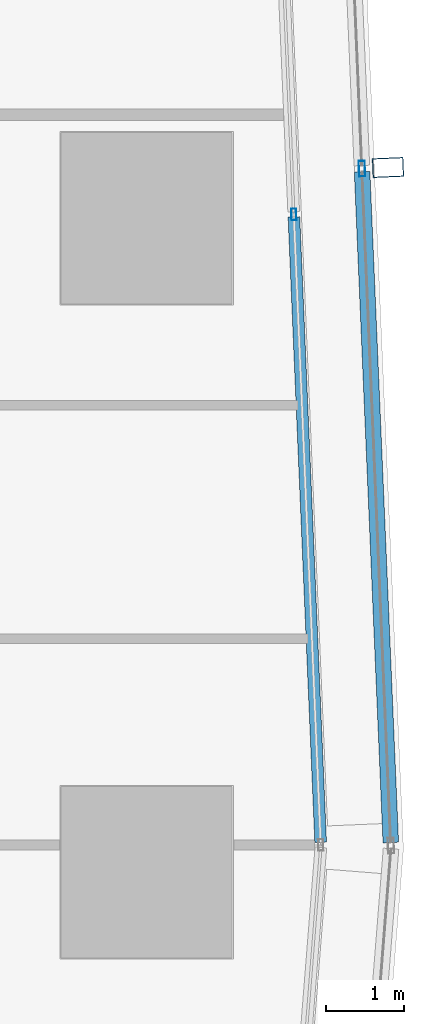
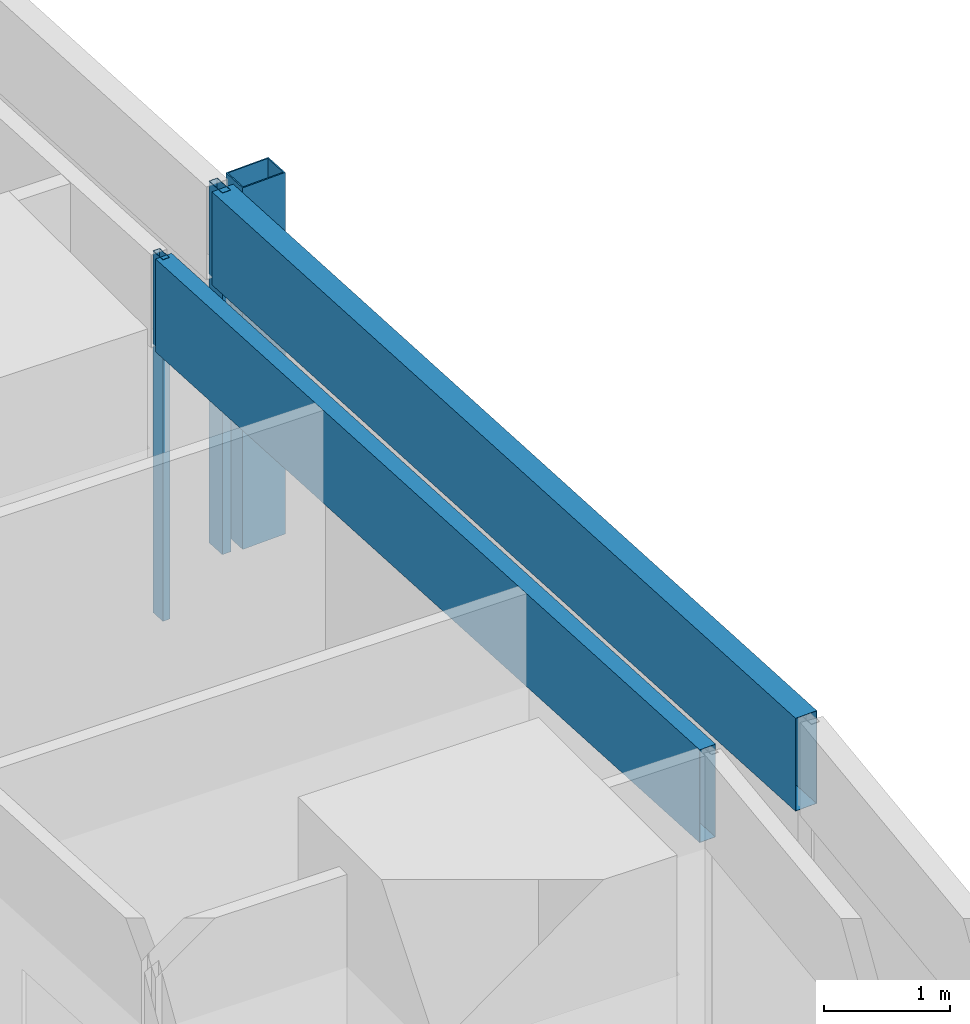
# One storey, part 27 of 44: 5 members, 2 elements without a shape of their own.
"""IFC4 building model written with IfcOpenShell, lengths in metres."""

from ifc_helpers import new_model, si_unit, direction, frame, origin, origin_2d, place, context, subcontext, project, spatial, hollow_rectangle, extrude, material, material_profile, profile_set, type_object, element, aggregate, save


model = new_model("IFC4")

# Units and contexts
model_context = context("Model", 3, precision=1e-05, world=origin(), true_north=direction((0.0, 1.0)))
body_context = subcontext(model_context, "Body", "Model", "MODEL_VIEW")
ifc_project = project(units=[si_unit("LENGTHUNIT", "METRE"), si_unit("AREAUNIT", "SQUARE_METRE"), si_unit("VOLUMEUNIT", "CUBIC_METRE"), si_unit("PLANEANGLEUNIT", "RADIAN"), si_unit("MASSUNIT", "GRAM", prefix="KILO")], contexts=[model_context])

# Site, building, storey
site_placement = place(None, origin())
site = spatial("IfcSite", under=ifc_project, at=site_placement, CompositionType="ELEMENT")
building_placement = place(site_placement, origin())
building = spatial("IfcBuilding", under=site, at=building_placement, Name="Rekha Terrace Tower", CompositionType="ELEMENT")
storey_placement = place(building_placement, frame((0.0, 0.0, 59.14990234375)))
storey = spatial("IfcBuildingStorey", under=building, at=storey_placement, Name="L14", CompositionType="ELEMENT", Elevation=59.14990234375)

# Curtain wall, member
ifc_material_1 = material(Name="Aluminium framing", Category="aluminium")
curtain_wall_type_1 = type_object("IfcCurtainWallType", Name="CW2 double skin outer glazing", PredefinedType="USERDEFINED", material=ifc_material_1)
curtain_wall_1_placement = place(storey_placement, origin())
curtain_wall_1 = element("IfcCurtainWall", 1, at=curtain_wall_1_placement, inside=storey, type_object=curtain_wall_type_1, Name="CW2 double skin outer glazing", ObjectType="DOUBLE SKIN OUTER GLAZING", PredefinedType="USERDEFINED")
ifc_material_2 = material(Name="Steel S355 with fluorocarbon finish", Category="steel")
ifc_material_profile_1 = material_profile(ifc_material_2, hollow_rectangle(XDim=0.25, YDim=0.39990234375, WallThickness=0.012451171875, at=origin_2d()), Name="RHS400x250x12.5")
ifc_profile_set_1 = profile_set([ifc_material_profile_1], Name="Steel S355 with fluorocarbon finish")
member_type_1 = type_object("IfcMemberType", Name="BL1 facade blade RHS 400 x 250", PredefinedType="USERDEFINED", material=ifc_profile_set_1)
member_1_placement = place(storey_placement, frame((70.301025390625, 34.2529296875, 0.0), z_axis=(0.0, 0.0, 1.0), x_axis=(-0.04269522475, 0.99908814315, 0.0)))
member_1 = element("IfcMember", 2, at=member_1_placement, type_object=member_type_1, Name="Facade blade", ObjectType="FACADE BLADE", PredefinedType="USERDEFINED", context=body_context, shape_type="SweptSolid", body=[
    extrude(hollow_rectangle(XDim=0.25, YDim=0.39990234375, WallThickness=0.012451171875, at=origin_2d()), origin(), (0.0, 0.0, 1.0), 3.5),
])

# Curtain wall, members
curtain_wall_type_2 = type_object("IfcCurtainWallType", Name="CW1 double skin inner glazing", PredefinedType="USERDEFINED", material=ifc_material_1)
curtain_wall_2_placement = place(storey_placement, origin())
curtain_wall_2 = element("IfcCurtainWall", 3, at=curtain_wall_2_placement, inside=storey, type_object=curtain_wall_type_2, Name="CW1 double skin inner glazing", ObjectType="DOUBLE SKIN INNER GLAZING", PredefinedType="USERDEFINED")
ifc_material_3 = material(Name="Aluminium mullion section", Category="aluminium")
ifc_material_profile_2 = material_profile(ifc_material_3, hollow_rectangle(XDim=0.06494140625, YDim=0.14990234375, WallThickness=0.00390625, at=origin_2d()), Name="AL RHS 65x150")
ifc_profile_set_2 = profile_set([ifc_material_profile_2], Name="Aluminium mullion section")
member_type_2 = type_object("IfcMemberType", Name="CW1 mullion RHS 65 x 150", PredefinedType="MULLION", material=ifc_profile_set_2)
member_2_placement = place(storey_placement, frame((69.0908203125, 33.650390625, 0.0), z_axis=(0.0, 0.0, 1.0), x_axis=(-0.999088106904, -0.042696072921, 0.0)))
member_2 = element("IfcMember", 4, at=member_2_placement, type_object=member_type_2, Name="CW1 mullion 2", PredefinedType="MULLION", context=body_context, shape_type="SweptSolid", body=[
    extrude(hollow_rectangle(XDim=0.06494140625, YDim=0.14990234375, WallThickness=0.00390625, at=origin_2d()), origin(), (0.0, 0.0, 1.0), 3.5),
])
ifc_material_4 = material(Name="Insulated aluminium spandrel box", Category="aluminium")
ifc_material_profile_3 = material_profile(ifc_material_4, hollow_rectangle(XDim=0.14990234375, YDim=0.89990234375, WallThickness=0.0029296875, at=origin_2d()), Name="AL SPANDREL BOX 150x900")
ifc_profile_set_3 = profile_set([ifc_material_profile_3], Name="Insulated aluminium spandrel box")
member_type_3 = type_object("IfcMemberType", Name="CW1 spandrel transom 150 x 900", PredefinedType="USERDEFINED", material=ifc_profile_set_3)
member_3_placement = place(storey_placement, frame((69.435546875, 25.584228515625, 3.050048828125), z_axis=(-0.042719126599, 0.999087121438, 0.0), x_axis=(-0.999087121438, -0.042719126599, 0.0)))
member_3 = element("IfcMember", 5, at=member_3_placement, type_object=member_type_3, Name="CW1 spandrel transom 1", ObjectType="TRANSOM", PredefinedType="USERDEFINED", context=body_context, shape_type="SweptSolid", body=[
    extrude(hollow_rectangle(XDim=0.14990234375, YDim=0.89990234375, WallThickness=0.0029296875, at=origin_2d()), origin(), (0.0, 0.0, 1.0), 8.041015625),
])
aggregate(curtain_wall_2, [member_2, member_3])

# Member
ifc_material_profile_4 = material_profile(ifc_material_3, hollow_rectangle(XDim=0.080078125, YDim=0.199951171875, WallThickness=0.00390625, at=origin_2d()), Name="AL RHS 80x200")
ifc_profile_set_4 = profile_set([ifc_material_profile_4], Name="Aluminium mullion section")
member_type_4 = type_object("IfcMemberType", Name="CW2 mullion RHS 80 x 200", PredefinedType="MULLION", material=ifc_profile_set_4)
member_4_placement = place(storey_placement, frame((69.96630859375, 34.23876953125, 0.0), z_axis=(0.0, 0.0, 1.0), x_axis=(-0.999088106903, -0.042696072956, 0.0)))
member_4 = element("IfcMember", 6, at=member_4_placement, type_object=member_type_4, Name="CW2 mullion 2", PredefinedType="MULLION", context=body_context, shape_type="SweptSolid", body=[
    extrude(hollow_rectangle(XDim=0.080078125, YDim=0.199951171875, WallThickness=0.00390625, at=origin_2d()), origin(), (0.0, 0.0, 1.0), 3.5),
])

ifc_material_profile_5 = material_profile(ifc_material_4, hollow_rectangle(XDim=0.199951171875, YDim=0.89990234375, WallThickness=0.0029296875, at=origin_2d()), Name="AL SPANDREL BOX 200x900")
ifc_profile_set_5 = profile_set([ifc_material_profile_5], Name="Insulated aluminium spandrel box")
member_type_5 = type_object("IfcMemberType", Name="CW2 spandrel transom 200 x 900", PredefinedType="USERDEFINED", material=ifc_profile_set_5)
member_5_placement = place(storey_placement, frame((70.33642578125, 25.582763671875, 3.050048828125), z_axis=(-0.042719742329, 0.99908709511, 0.0), x_axis=(-0.99908709511, -0.042719742329, 0.0)))
member_5 = element("IfcMember", 7, at=member_5_placement, type_object=member_type_5, Name="CW2 spandrel transom 1", ObjectType="TRANSOM", PredefinedType="USERDEFINED", context=body_context, shape_type="SweptSolid", body=[
    extrude(hollow_rectangle(XDim=0.199951171875, YDim=0.89990234375, WallThickness=0.0029296875, at=origin_2d()), origin(), (0.0, 0.0, 1.0), 8.623779296875),
])

aggregate(curtain_wall_1, [member_4, member_5, member_1])

save(model, "model.ifc")
